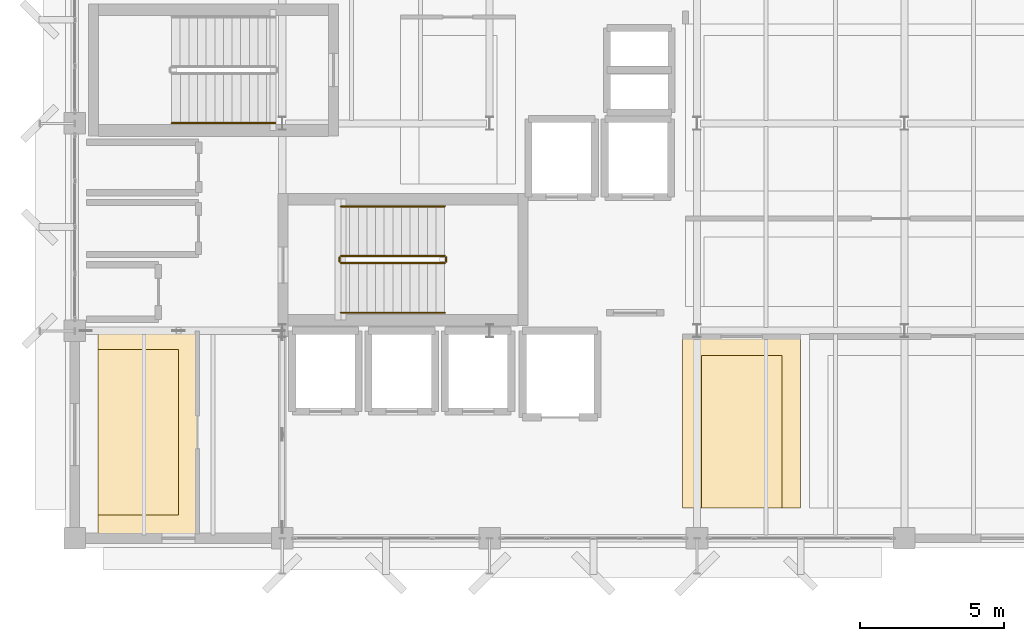
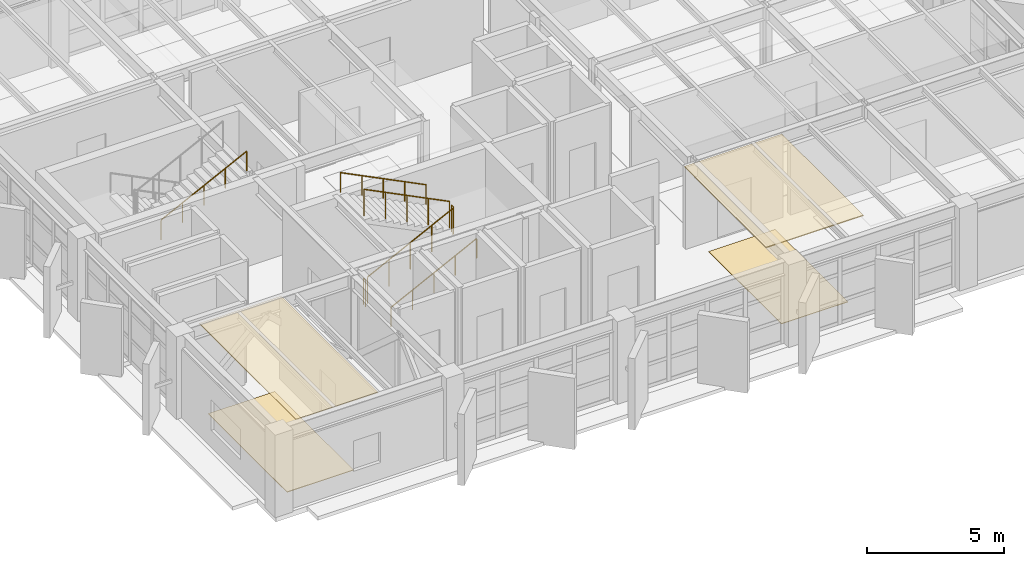
# One storey, part 21 of 24: 7 railings, 4 coverings.
"""IFC4 building model written with IfcOpenShell, lengths in metres."""

from ifc_helpers import new_model, si_unit, direction, frame, origin, origin_2d, place, context, subcontext, project, spatial, polyline, circle, outline, extrude, material, layer, layer_set, type_object, element, save


model = new_model("IFC4")

# Units and contexts
model_context = context("Model", 3, precision=1e-05, world=origin(), true_north=direction((0.0, 1.0)))
body_context = subcontext(model_context, "Body", "Model", "MODEL_VIEW")
ifc_project = project(units=[si_unit("LENGTHUNIT", "METRE"), si_unit("AREAUNIT", "SQUARE_METRE"), si_unit("VOLUMEUNIT", "CUBIC_METRE"), si_unit("PLANEANGLEUNIT", "RADIAN"), si_unit("MASSUNIT", "GRAM", prefix="KILO")], contexts=[model_context])

# Site, building, storey
site_placement = place(None, origin())
site = spatial("IfcSite", under=ifc_project, at=site_placement, CompositionType="ELEMENT")
building_placement = place(site_placement, origin())
building = spatial("IfcBuilding", under=site, at=building_placement, Name="Kandorven Conservatory and Botanical Research Centre", CompositionType="ELEMENT")
storey_placement = place(building_placement, frame((0.0, 0.0, 21.0)))
storey = spatial("IfcBuildingStorey", under=building, at=storey_placement, Name="L05", CompositionType="ELEMENT", Elevation=21.0)

# Coverings
ifc_material_1 = material(Name="Perforated mineral-fibre acoustic ceiling tile", Category="gypsum")
ifc_layer_1 = layer(ifc_material_1, 0.0400390625)
ifc_layer_set_1 = layer_set([ifc_layer_1], Name="Perforated mineral-fibre acoustic ceiling tile")
covering_type_1 = type_object("IfcCoveringType", Name="Cov_Ceiling_1", PredefinedType="CEILING", material=ifc_layer_set_1)
covering_1_placement = place(storey_placement, frame((0.0, 0.0, 3.610107421875)))
element("IfcCovering", 1, at=covering_1_placement, inside=storey, type_object=covering_type_1, Name="Suspended acoustic ceiling CLG-01 (Botanical Chemotaxonomy Research Laboratory L05)", PredefinedType="CEILING", context=body_context, shape_type="SweptSolid", body=[
    extrude(outline(polyline([(6.800048828125, 6.14990234375), (10.25, 6.14990234375), (10.25, 13.199951171875), (6.800048828125, 13.199951171875), (6.800048828125, 6.14990234375)])), origin(), (0.0, 0.0, 1.0), 0.039794921875),
])
covering_2_placement = place(storey_placement, frame((0.0, 0.0, 3.610107421875)))
element("IfcCovering", 2, at=covering_2_placement, inside=storey, type_object=covering_type_1, Name="Suspended acoustic ceiling CLG-01 (Phytochemistry Research Laboratory L05)", PredefinedType="CEILING", context=body_context, shape_type="SweptSolid", body=[
    extrude(outline(polyline([(27.10009765625, 7.050048828125), (31.199951171875, 7.050048828125), (31.199951171875, 13.0), (27.10009765625, 13.0), (27.10009765625, 7.050048828125)])), origin(), (0.0, 0.0, 1.0), 0.039794921875),
])
ifc_material_2 = material(Name="Honed Kota stone and epoxy laboratory flooring", Category="masonry")
ifc_layer_2 = layer(ifc_material_2, 0.02490234375)
ifc_layer_set_2 = layer_set([ifc_layer_2], Name="Honed Kota stone and epoxy laboratory flooring")
covering_type_2 = type_object("IfcCoveringType", Name="Cov_Flooring_1", PredefinedType="FLOORING", material=ifc_layer_set_2)
covering_3_placement = place(storey_placement, origin())
element("IfcCovering", 3, at=covering_3_placement, inside=storey, type_object=covering_type_2, Name="Floor finish FLR-01 (Botanical Chemotaxonomy Research Laboratory L05)", PredefinedType="FLOORING", context=body_context, shape_type="SweptSolid", body=[
    extrude(outline(polyline([(6.800048828125, 6.800048828125), (9.60009765625, 6.800048828125), (9.60009765625, 12.550048828125), (6.800048828125, 12.550048828125), (6.800048828125, 6.800048828125)])), origin(), (0.0, 0.0, 1.0), 0.02490234375),
])
covering_4_placement = place(storey_placement, origin())
element("IfcCovering", 4, at=covering_4_placement, inside=storey, type_object=covering_type_2, Name="Floor finish FLR-01 (Phytochemistry Research Laboratory L05)", PredefinedType="FLOORING", context=body_context, shape_type="SweptSolid", body=[
    extrude(outline(polyline([(27.75, 7.050048828125), (30.550048828125, 7.050048828125), (30.550048828125, 12.35009765625), (27.75, 12.35009765625), (27.75, 7.050048828125)])), origin(), (0.0, 0.0, 1.0), 0.02490234375),
])

# Railings
ifc_material_3 = material(Name="Steel S355 (IS 2062 E350)", Category="steel")
railing_type_1 = type_object("IfcRailingType", Name="StairGuard_1150", PredefinedType="BALUSTRADE", material=ifc_material_3)
railing_1_placement = place(storey_placement, frame((15.239990234375, 15.550048828125, 0.14990234375)))
element("IfcRailing", 5, at=railing_1_placement, inside=storey, type_object=railing_type_1, Name="L05 ST-T1 stair guard 1", PredefinedType="BALUSTRADE", context=body_context, shape_type="SweptSolid", body=[
    extrude(circle(Radius=0.02392578125, at=origin_2d()), frame((0.0, 0.0, 1.17578125), z_axis=(0.894427191, 0.0, 0.4472135955), x_axis=(0.0, 1.0, 0.0)), (0.0, 0.0, 1.0), 4.025146484375),
    extrude(circle(Radius=0.02099609375, at=origin_2d()), origin(), (0.0, 0.0, 1.0), 1.15185546875),
    extrude(circle(Radius=0.02099609375, at=origin_2d()), frame((0.89990234375, 0.0, 0.449951171875)), (0.0, 0.0, 1.0), 1.15185546875),
    extrude(circle(Radius=0.02099609375, at=origin_2d()), frame((1.800048828125, 0.0, 0.89990234375)), (0.0, 0.0, 1.0), 1.15185546875),
    extrude(circle(Radius=0.02099609375, at=origin_2d()), frame((2.7001953125, 0.0, 1.35009765625)), (0.0, 0.0, 1.0), 1.15185546875),
    extrude(circle(Radius=0.02099609375, at=origin_2d()), frame((3.60009765625, 0.0, 1.800048828125)), (0.0, 0.0, 1.0), 1.15185546875),
])
railing_2_placement = place(storey_placement, frame((18.889892578125, 15.60009765625, 1.949951171875)))
element("IfcRailing", 6, at=railing_2_placement, inside=storey, type_object=railing_type_1, Name="L05 ST-T1 stair guard 2", PredefinedType="BALUSTRADE", context=body_context, shape_type="SweptSolid", body=[
    extrude(circle(Radius=0.02392578125, at=origin_2d()), frame((0.0, 0.0, 1.17578125), z_axis=(0.0, 1.0, 0.0), x_axis=(-1.0, 0.0, 0.0)), (0.0, 0.0, 1.0), 0.14990234375),
    extrude(circle(Radius=0.02099609375, at=origin_2d()), origin(), (0.0, 0.0, 1.0), 1.15185546875),
    extrude(circle(Radius=0.02099609375, at=origin_2d()), frame((0.0, 0.14990234375, 0.0)), (0.0, 0.0, 1.0), 1.15185546875),
])
railing_3_placement = place(storey_placement, frame((18.840087890625, 15.800048828125, 2.10009765625)))
element("IfcRailing", 7, at=railing_3_placement, inside=storey, type_object=railing_type_1, Name="L05 ST-T1 stair guard 3", PredefinedType="BALUSTRADE", context=body_context, shape_type="SweptSolid", body=[
    extrude(circle(Radius=0.02392578125, at=origin_2d()), frame((0.0, 0.0, 1.17578125), z_axis=(-0.894451452574, 0.0, 0.447165069061), x_axis=(0.0, -1.0, 0.0)), (0.0, 0.0, 1.0), 4.02490234375),
    extrude(circle(Radius=0.02099609375, at=origin_2d()), origin(), (0.0, 0.0, 1.0), 1.15185546875),
    extrude(circle(Radius=0.02099609375, at=origin_2d()), frame((-0.89990234375, 0.0, 0.449951171875)), (0.0, 0.0, 1.0), 1.15185546875),
    extrude(circle(Radius=0.02099609375, at=origin_2d()), frame((-1.800048828125, 0.0, 0.89990234375)), (0.0, 0.0, 1.0), 1.15185546875),
    extrude(circle(Radius=0.02099609375, at=origin_2d()), frame((-2.7001953125, 0.0, 1.349853515625)), (0.0, 0.0, 1.0), 1.15185546875),
    extrude(circle(Radius=0.02099609375, at=origin_2d()), frame((-3.60009765625, 0.0, 1.7998046875)), (0.0, 0.0, 1.0), 1.15185546875),
])
railing_4_placement = place(storey_placement, frame((15.18994140625, 15.60009765625, 0.0)))
element("IfcRailing", 8, at=railing_4_placement, inside=storey, type_object=railing_type_1, Name="L05 ST-T1 stair guard 4", PredefinedType="BALUSTRADE", context=body_context, shape_type="SweptSolid", body=[
    extrude(circle(Radius=0.02392578125, at=origin_2d()), frame((0.0, 0.0, 1.17578125), z_axis=(0.0, 1.0, 0.0), x_axis=(-1.0, 0.0, 0.0)), (0.0, 0.0, 1.0), 0.14990234375),
    extrude(circle(Radius=0.02099609375, at=origin_2d()), origin(), (0.0, 0.0, 1.0), 1.15185546875),
    extrude(circle(Radius=0.02099609375, at=origin_2d()), frame((0.0, 0.14990234375, 0.0)), (0.0, 0.0, 1.0), 1.15185546875),
])
ifc_material_4 = material(Name="Steel S355 (IS 2062 E350)", Category="steel")
railing_type_2 = type_object("IfcRailingType", Name="StairHandrail_900", PredefinedType="HANDRAIL", material=ifc_material_4)
railing_5_placement = place(storey_placement, frame((15.239990234375, 13.830078125, 0.14990234375)))
element("IfcRailing", 9, at=railing_5_placement, inside=storey, type_object=railing_type_2, Name="L05 ST-T1 stair handrail 1", PredefinedType="HANDRAIL", context=body_context, shape_type="SweptSolid", body=[
    extrude(circle(Radius=0.02392578125, at=origin_2d()), frame((0.0, 0.0, 0.8759765625), z_axis=(0.894427191, 0.0, 0.4472135955), x_axis=(0.0, 1.0, 0.0)), (0.0, 0.0, 1.0), 4.025146484375),
    extrude(circle(Radius=0.02099609375, at=origin_2d()), origin(), (0.0, 0.0, 1.0), 0.851806640625),
    extrude(circle(Radius=0.02099609375, at=origin_2d()), frame((0.89990234375, 0.0, 0.449951171875)), (0.0, 0.0, 1.0), 0.851806640625),
    extrude(circle(Radius=0.02099609375, at=origin_2d()), frame((1.800048828125, 0.0, 0.89990234375)), (0.0, 0.0, 1.0), 0.851806640625),
    extrude(circle(Radius=0.02099609375, at=origin_2d()), frame((2.7001953125, 0.0, 1.35009765625)), (0.0, 0.0, 1.0), 0.851806640625),
    extrude(circle(Radius=0.02099609375, at=origin_2d()), frame((3.60009765625, 0.0, 1.800048828125)), (0.0, 0.0, 1.0), 0.851806640625),
])
railing_6_placement = place(storey_placement, frame((18.840087890625, 17.52001953125, 2.10009765625)))
element("IfcRailing", 10, at=railing_6_placement, inside=storey, type_object=railing_type_2, Name="L05 ST-T1 stair handrail 2", PredefinedType="HANDRAIL", context=body_context, shape_type="SweptSolid", body=[
    extrude(circle(Radius=0.02392578125, at=origin_2d()), frame((0.0, 0.0, 0.8759765625), z_axis=(-0.894451452574, 0.0, 0.447165069061), x_axis=(0.0, -1.0, 0.0)), (0.0, 0.0, 1.0), 4.02490234375),
    extrude(circle(Radius=0.02099609375, at=origin_2d()), origin(), (0.0, 0.0, 1.0), 0.851806640625),
    extrude(circle(Radius=0.02099609375, at=origin_2d()), frame((-0.89990234375, 0.0, 0.449951171875)), (0.0, 0.0, 1.0), 0.851806640625),
    extrude(circle(Radius=0.02099609375, at=origin_2d()), frame((-1.800048828125, 0.0, 0.89990234375)), (0.0, 0.0, 1.0), 0.851806640625),
    extrude(circle(Radius=0.02099609375, at=origin_2d()), frame((-2.7001953125, 0.0, 1.349853515625)), (0.0, 0.0, 1.0), 0.851806640625),
    extrude(circle(Radius=0.02099609375, at=origin_2d()), frame((-3.60009765625, 0.0, 1.7998046875)), (0.0, 0.0, 1.0), 0.851806640625),
])
railing_7_placement = place(storey_placement, frame((9.360107421875, 20.409912109375, 2.10009765625)))
element("IfcRailing", 11, at=railing_7_placement, inside=storey, type_object=railing_type_2, Name="L05 ST-T2 stair handrail 2", PredefinedType="HANDRAIL", context=body_context, shape_type="SweptSolid", body=[
    extrude(circle(Radius=0.02392578125, at=origin_2d()), frame((0.0, 0.0, 0.8759765625), z_axis=(0.894439322774, 0.0, 0.447189331129), x_axis=(0.0, 1.0, 0.0)), (0.0, 0.0, 1.0), 4.024658203125),
    extrude(circle(Radius=0.02099609375, at=origin_2d()), origin(), (0.0, 0.0, 1.0), 0.851806640625),
    extrude(circle(Radius=0.02099609375, at=origin_2d()), frame((0.89990234375, 0.0, 0.449951171875)), (0.0, 0.0, 1.0), 0.851806640625),
    extrude(circle(Radius=0.02099609375, at=origin_2d()), frame((1.7998046875, 0.0, 0.89990234375)), (0.0, 0.0, 1.0), 0.851806640625),
    extrude(circle(Radius=0.02099609375, at=origin_2d()), frame((2.699951171875, 0.0, 1.349853515625)), (0.0, 0.0, 1.0), 0.851806640625),
    extrude(circle(Radius=0.02099609375, at=origin_2d()), frame((3.599853515625, 0.0, 1.7998046875)), (0.0, 0.0, 1.0), 0.851806640625),
])

save(model, "model.ifc")
